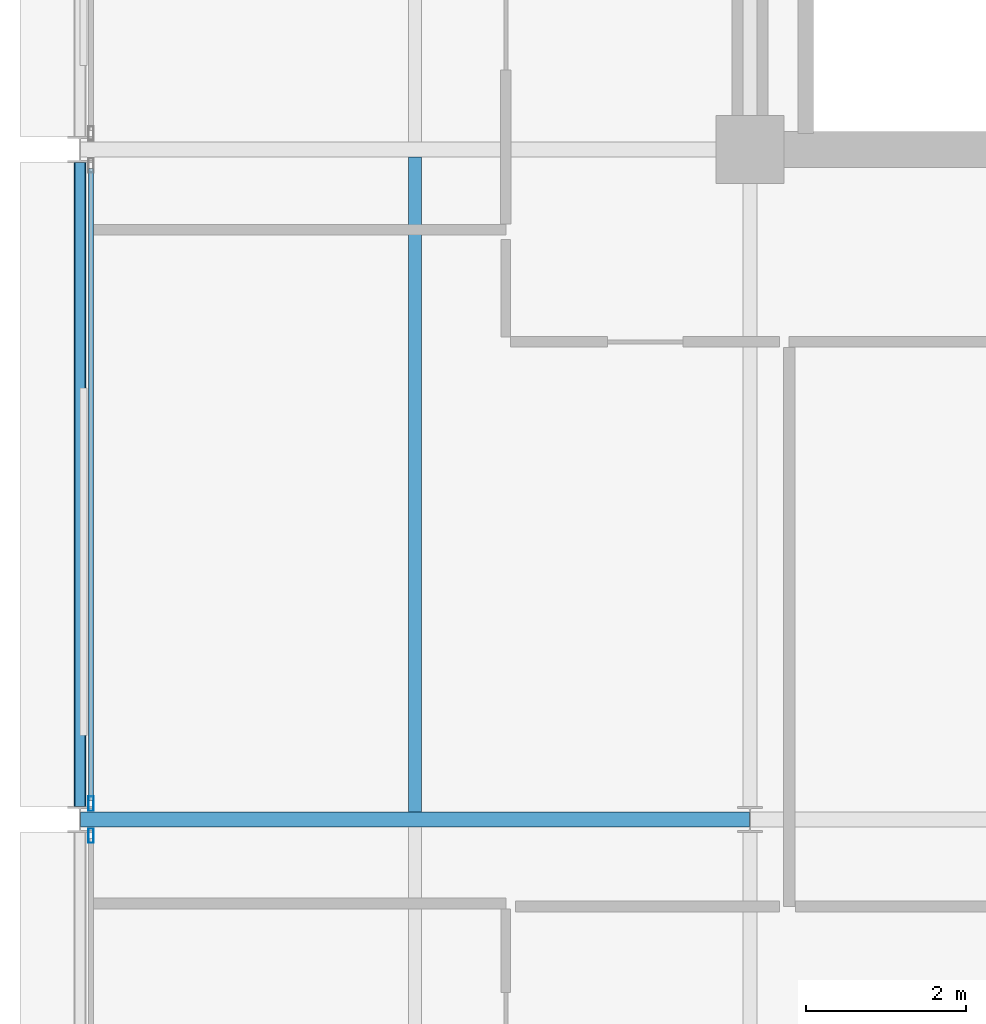
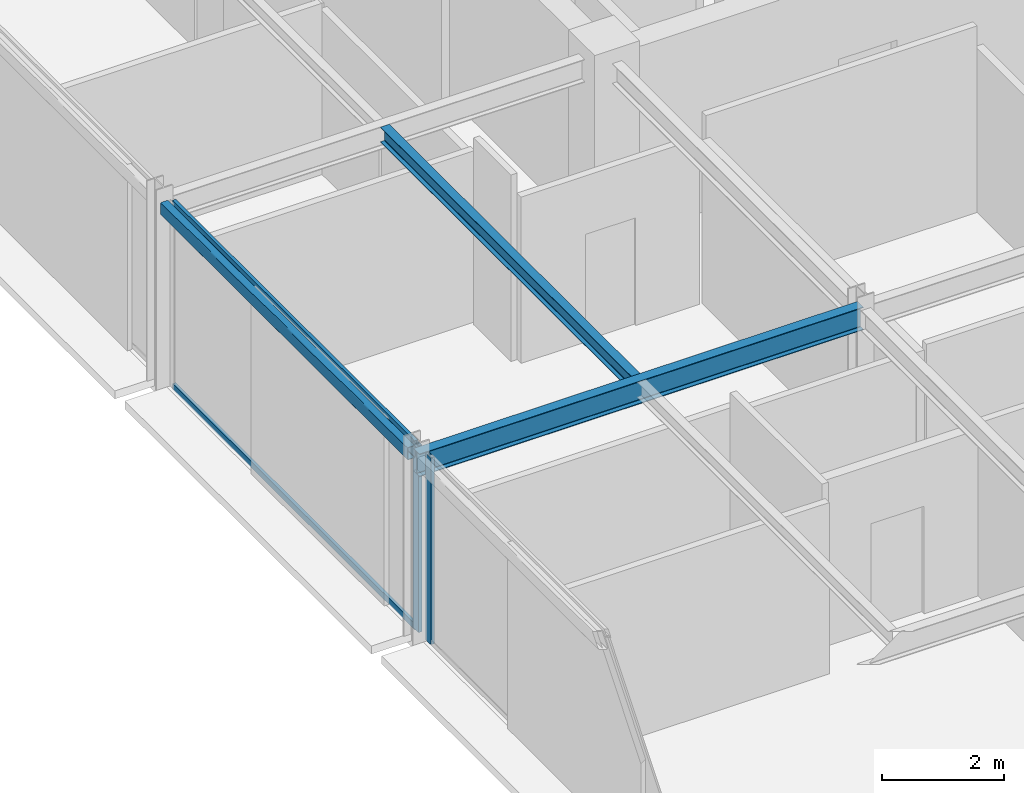
# One storey, part 9 of 25: 4 members, 3 beams, 2 elements without a shape of their own.
"""IFC4 building model written with IfcOpenShell, lengths in metres."""

from ifc_helpers import new_model, si_unit, direction, frame, origin, origin_2d, place, context, subcontext, project, spatial, hollow_rectangle, i_section, extrude, material, layer, layer_set, material_profile, profile_set, type_object, element, aggregate, save


model = new_model("IFC4")

# Units and contexts
model_context = context("Model", 3, precision=1e-05, world=origin(), true_north=direction((0.0, 1.0)))
body_context = subcontext(model_context, "Body", "Model", "MODEL_VIEW")
ifc_project = project(units=[si_unit("LENGTHUNIT", "METRE"), si_unit("AREAUNIT", "SQUARE_METRE"), si_unit("VOLUMEUNIT", "CUBIC_METRE"), si_unit("PLANEANGLEUNIT", "RADIAN"), si_unit("MASSUNIT", "GRAM", prefix="KILO")], contexts=[model_context])

# Site, building, storey
site_placement = place(None, origin())
site = spatial("IfcSite", under=ifc_project, at=site_placement, CompositionType="ELEMENT")
building_placement = place(site_placement, origin())
building = spatial("IfcBuilding", under=site, at=building_placement, Name="Nerrivon Quay Data Exchange", CompositionType="ELEMENT")
storey_placement = place(building_placement, frame((0.0, 0.0, 302.199951171875)))
storey = spatial("IfcBuildingStorey", under=building, at=storey_placement, Name="L72", CompositionType="ELEMENT", Elevation=302.199951171875)

# Beams
ifc_material_1 = material(Name="Steel Grade 350", Category="steel")
ifc_material_profile_1 = material_profile(ifc_material_1, i_section(OverallWidth=0.18994140625, OverallDepth=0.4541015625, WebThickness=0.008544921875, FlangeThickness=0.0126953125, FilletRadius=0.011474609375, at=origin_2d()), Name="460UB67.1")
ifc_profile_set_1 = profile_set([ifc_material_profile_1], Name="Steel Grade 350")
beam_type_1 = type_object("IfcBeamType", Name="BM-G6-460UB67", PredefinedType="BEAM", material=ifc_profile_set_1)
beam_1_placement = place(storey_placement, frame((0.0078125, 16.800048828125, 3.498046875), z_axis=(1.0, 0.0, 0.0), x_axis=(0.0, 1.0, 0.0)))
element("IfcBeam", 1, at=beam_1_placement, inside=storey, type_object=beam_type_1, Name="L72 EW Girder Y=16.8 (0.0..8.4)", PredefinedType="BEAM", context=body_context, shape_type="SweptSolid", body=[
    extrude(i_section(OverallWidth=0.18994140625, OverallDepth=0.4541015625, WebThickness=0.008544921875, FlangeThickness=0.0126953125, FilletRadius=0.011474609375, at=origin_2d()), origin(), (0.0, 0.0, 1.0), 8.38427734375),
])
ifc_material_profile_2 = material_profile(ifc_material_1, i_section(OverallWidth=0.1650390625, OverallDepth=0.303955078125, WebThickness=0.006103515625, FlangeThickness=0.01025390625, FilletRadius=0.011474609375, at=origin_2d()), Name="310UB40.4")
ifc_profile_set_2 = profile_set([ifc_material_profile_2], Name="Steel Grade 350")
beam_type_2 = type_object("IfcBeamType", Name="BM-J6-310UB40", PredefinedType="JOIST", material=ifc_profile_set_2)
beam_2_placement = place(storey_placement, frame((4.199951171875, 16.89501953125, 3.572998046875), z_axis=(0.0, 1.0, 0.0), x_axis=(-1.0, 0.0, 0.0)))
element("IfcBeam", 2, at=beam_2_placement, inside=storey, type_object=beam_type_2, Name="L72 Secondary Joist X=4.2 (16.8..25.2)", PredefinedType="JOIST", context=body_context, shape_type="SweptSolid", body=[
    extrude(i_section(OverallWidth=0.1650390625, OverallDepth=0.303955078125, WebThickness=0.006103515625, FlangeThickness=0.01025390625, FilletRadius=0.011474609375, at=origin_2d()), origin(), (0.0, 0.0, 1.0), 8.2099609375),
])
ifc_material_2 = material(Name="Steel Grade C350L0 (350 MPa)", Category="steel")
ifc_material_profile_3 = material_profile(ifc_material_2, hollow_rectangle(XDim=0.14990234375, YDim=0.25, WallThickness=0.009033203125, InnerFilletRadius=0.013427734375, OuterFilletRadius=0.0224609375, at=origin_2d()), Name="250x150x9.0RHS")
ifc_profile_set_3 = profile_set([ifc_material_profile_3], Name="Steel Grade C350L0 (350 MPa)")
beam_type_3 = type_object("IfcBeamType", Name="BM-SP4-250x150RHS", PredefinedType="SPANDREL", material=ifc_profile_set_3)
beam_3_placement = place(storey_placement, frame((0.0, 16.96337890625, 3.60009765625), z_axis=(0.0, 1.0, 0.0), x_axis=(-1.0, 0.0, 0.0)))
element("IfcBeam", 3, at=beam_3_placement, inside=storey, type_object=beam_type_3, Name="L72 NS Girder X=0.0 (16.8..25.2)", PredefinedType="SPANDREL", context=body_context, shape_type="SweptSolid", body=[
    extrude(hollow_rectangle(XDim=0.14990234375, YDim=0.25, WallThickness=0.009033203125, InnerFilletRadius=0.013427734375, OuterFilletRadius=0.0224609375, at=origin_2d()), origin(), (0.0, 0.0, 1.0), 8.0732421875),
])

# Curtain wall, member
ifc_material_3 = material(Name="Anodised aluminium 6063-T6", Category="aluminium")
ifc_layer = layer(ifc_material_3, 0.195068359375)
ifc_layer_set = layer_set([ifc_layer], Name="Anodised aluminium 6063-T6")
curtain_wall_type = type_object("IfcCurtainWallType", Name="CW-SYS-06", PredefinedType="NOTDEFINED", material=ifc_layer_set)
curtain_wall_1_placement = place(storey_placement, origin())
curtain_wall_1 = element("IfcCurtainWall", 4, at=curtain_wall_1_placement, inside=storey, type_object=curtain_wall_type, Name="L72 Unitised Curtain Wall 9", PredefinedType="NOTDEFINED")
ifc_material_profile_4 = material_profile(ifc_material_3, hollow_rectangle(XDim=0.06494140625, YDim=0.179931640625, WallThickness=0.00341796875, at=origin_2d()), Name="ALU-MULL-180x65")
ifc_profile_set_4 = profile_set([ifc_material_profile_4], Name="Anodised aluminium 6063-T6")
member_type_1 = type_object("IfcMemberType", Name="CWM-180x65", PredefinedType="MULLION", material=ifc_profile_set_4)
member_1_placement = place(storey_placement, frame((0.139892578125, 16.59912109375, 0.0), z_axis=(0.0, 0.0, 1.0), x_axis=(-1.0, 0.0, 0.0)))
member_1 = element("IfcMember", 5, at=member_1_placement, type_object=member_type_1, Name="CW06 mullion 2", PredefinedType="MULLION", context=body_context, shape_type="SweptSolid", body=[
    extrude(hollow_rectangle(XDim=0.06494140625, YDim=0.179931640625, WallThickness=0.00341796875, at=origin_2d()), origin(), (0.0, 0.0, 1.0), 3.72509765625),
])
aggregate(curtain_wall_1, [member_1])

# Curtain wall, members
curtain_wall_2_placement = place(storey_placement, origin())
curtain_wall_2 = element("IfcCurtainWall", 6, at=curtain_wall_2_placement, inside=storey, type_object=curtain_wall_type, Name="L72 Unitised Curtain Wall 10", PredefinedType="NOTDEFINED")
member_2_placement = place(storey_placement, frame((0.139892578125, 17.0009765625, 0.0), z_axis=(0.0, 0.0, 1.0), x_axis=(-1.0, 0.0, 0.0)))
member_2 = element("IfcMember", 7, at=member_2_placement, type_object=member_type_1, Name="CW06 mullion 1", PredefinedType="MULLION", context=body_context, shape_type="SweptSolid", body=[
    extrude(hollow_rectangle(XDim=0.06494140625, YDim=0.179931640625, WallThickness=0.00341796875, at=origin_2d()), origin(), (0.0, 0.0, 1.0), 3.72509765625),
])
ifc_material_profile_5 = material_profile(ifc_material_3, hollow_rectangle(XDim=0.06005859375, YDim=0.1201171875, WallThickness=0.003173828125, at=origin_2d()), Name="ALU-TRAN-120x60")
ifc_profile_set_5 = profile_set([ifc_material_profile_5], Name="Anodised aluminium 6063-T6")
member_type_2 = type_object("IfcMemberType", Name="CWT-120x60", PredefinedType="USERDEFINED", material=ifc_profile_set_5)
member_3_placement = place(storey_placement, frame((0.139892578125, 17.03857421875, 0.032470703125), z_axis=(0.0, 1.0, 0.0), x_axis=(-1.0, 0.0, 0.0)))
member_3 = element("IfcMember", 8, at=member_3_placement, type_object=member_type_2, Name="CW06 transom 1.1", ObjectType="TRANSOM", PredefinedType="USERDEFINED", context=body_context, shape_type="SweptSolid", body=[
    extrude(hollow_rectangle(XDim=0.06005859375, YDim=0.1201171875, WallThickness=0.003173828125, at=origin_2d()), origin(), (0.0, 0.0, 1.0), 7.9228515625),
])
member_4_placement = place(storey_placement, frame((0.139892578125, 17.03857421875, 3.692626953125), z_axis=(0.0, 1.0, 0.0), x_axis=(-1.0, 0.0, 0.0)))
member_4 = element("IfcMember", 9, at=member_4_placement, type_object=member_type_2, Name="CW06 transom 1.2", ObjectType="TRANSOM", PredefinedType="USERDEFINED", context=body_context, shape_type="SweptSolid", body=[
    extrude(hollow_rectangle(XDim=0.06005859375, YDim=0.1201171875, WallThickness=0.003173828125, at=origin_2d()), origin(), (0.0, 0.0, 1.0), 7.9228515625),
])
aggregate(curtain_wall_2, [member_2, member_3, member_4])

save(model, "model.ifc")
